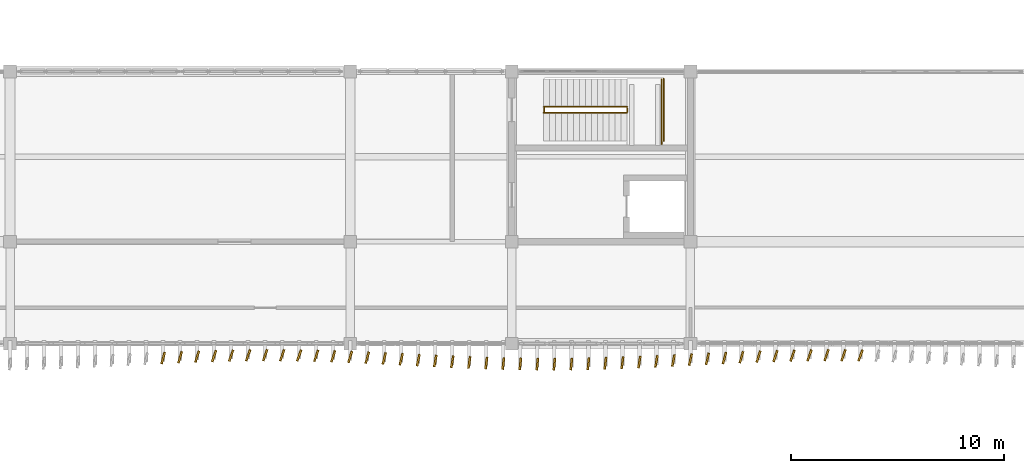
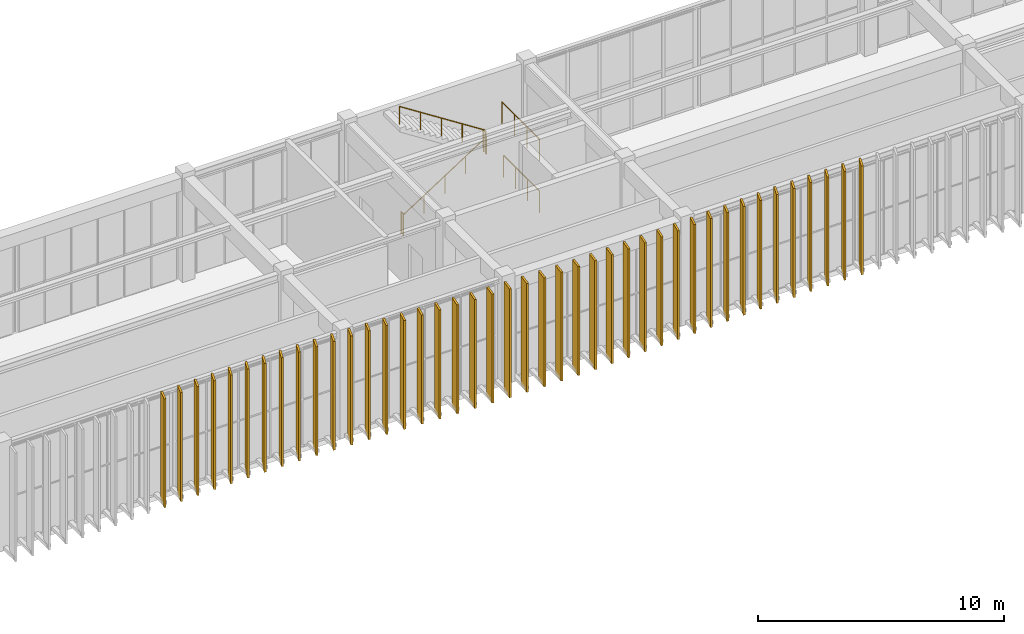
# One storey, part 58 of 64: 42 coverings, 6 railings.
"""IFC4 building model written with IfcOpenShell, lengths in metres."""

from ifc_helpers import new_model, si_unit, direction, frame, origin, origin_2d, place, context, subcontext, project, spatial, rectangle, circle, extrude, material, layer, layer_set, type_object, element, save


model = new_model("IFC4")

# Units and contexts
model_context = context("Model", 3, precision=1e-05, world=origin(), true_north=direction((0.0, 1.0)))
body_context = subcontext(model_context, "Body", "Model", "MODEL_VIEW")
ifc_project = project(units=[si_unit("LENGTHUNIT", "METRE"), si_unit("AREAUNIT", "SQUARE_METRE"), si_unit("VOLUMEUNIT", "CUBIC_METRE"), si_unit("PLANEANGLEUNIT", "RADIAN"), si_unit("MASSUNIT", "GRAM", prefix="KILO")], contexts=[model_context])

# Site, building, storey
site_placement = place(None, origin())
site = spatial("IfcSite", under=ifc_project, at=site_placement, CompositionType="ELEMENT")
building_placement = place(site_placement, origin())
building = spatial("IfcBuilding", under=site, at=building_placement, Name="Cinchona Park Media Centre", CompositionType="ELEMENT")
storey_placement = place(building_placement, frame((0.0, 0.0, 10.199951171875)))
storey = spatial("IfcBuildingStorey", under=building, at=storey_placement, Name="L02", CompositionType="ELEMENT", Elevation=10.199951171875)

# Coverings
ifc_material_1 = material(Name="Anodised Storm-Resistant Aluminium Fin", Category="aluminium")
ifc_layer = layer(ifc_material_1, 0.090087890625)
ifc_layer_set = layer_set([ifc_layer], Name="Anodised Storm-Resistant Aluminium Fin")
covering_type = type_object("IfcCoveringType", Name="CLADDING-FIN01", PredefinedType="CLADDING", material=ifc_layer_set)
for number, where, z_axis, x_axis, name in (
    (1, (70.0, 74.1279296875, 0.0), (0.0, 0.0, 1.0), (0.268919820615, 0.963162566798, 0.0), "Twisting Vertical Facade Fin L02"),
    (2, (70.800048828125, 74.1640625, 0.0), (0.0, 0.0, 1.0), (0.288697611798, 0.957420330337, 0.0), "Twisting Vertical Facade Fin L02"),
    (3, (71.60009765625, 74.195068359375, 0.0), (0.0, 0.0, 1.0), (0.306193796821, 0.951969200546, 0.0), "Twisting Vertical Facade Fin L02"),
    (4, (72.39990234375, 74.220947265625, 0.0), (0.0, 0.0, 1.0), (0.320612990586, 0.947210277746, 0.0), "Twisting Vertical Facade Fin L02"),
    (5, (73.199951171875, 74.240966796875, 0.0), (0.0, 0.0, 1.0), (0.331667216146, 0.943396447807, 0.0), "Twisting Vertical Facade Fin L02"),
    (6, (74.0, 74.25390625, 0.0), (0.0, 0.0, 1.0), (0.338737920245, 0.940880768954, 0.0), "Twisting Vertical Facade Fin L02"),
    (7, (74.800048828125, 74.260009765625, 0.0), (0.0, 0.0, 1.0), (0.341856130815, 0.939752300249, 0.0), "Twisting Vertical Facade Fin L02"),
    (8, (75.60009765625, 74.258056640625, 0.0), (0.0, 0.0, 1.0), (0.340871837244, 0.94010977581, 0.0), "Twisting Vertical Facade Fin L02"),
    (9, (76.39990234375, 74.248046875, 0.0), (0.0, 0.0, 1.0), (0.335780389393, 0.941940300709, 0.0), "Twisting Vertical Facade Fin L02"),
    (10, (77.199951171875, 74.23193359375, 0.0), (0.0, 0.0, 1.0), (0.3265581205, 0.945177123049, 0.0), "Twisting Vertical Facade Fin L02"),
    (11, (78.0, 74.208984375, 0.0), (0.0, 0.0, 1.0), (0.31382674518, 0.949480265203, 0.0), "Twisting Vertical Facade Fin L02"),
    (12, (78.800048828125, 74.179931640625, 0.0), (0.0, 0.0, 1.0), (0.297874744877, 0.954604963513, 0.0), "Twisting Vertical Facade Fin L02"),
    (13, (79.60009765625, 74.14599609375, 0.0), (0.0, 0.0, 1.0), (0.279158704655, 0.960244977917, 0.0), "Twisting Vertical Facade Fin L02"),
    (14, (80.39990234375, 74.10888671875, 0.0), (0.0, 0.0, 1.0), (0.258313252067, 0.966061211211, 0.0), "Twisting Vertical Facade Fin L02"),
    (15, (81.199951171875, 74.070068359375, 0.0), (0.0, 0.0, 1.0), (0.236329411694, 0.971672994977, 0.0), "Twisting Vertical Facade Fin L02"),
    (16, (82.0, 74.030029296875, 0.0), (0.0, 0.0, 1.0), (0.213541936916, 0.97693389806, 0.0), "Twisting Vertical Facade Fin L02"),
    (17, (82.800048828125, 73.990966796875, 0.0), (0.0, 0.0, 1.0), (0.191322947989, 0.981527141537, 0.0), "Twisting Vertical Facade Fin L02"),
    (18, (83.60009765625, 73.9541015625, 0.0), (0.0, 0.0, 1.0), (0.170037510451, 0.985437590637, 0.0), "Twisting Vertical Facade Fin L02"),
    (19, (84.39990234375, 73.919921875, 0.0), (0.0, 0.0, 1.0), (0.150743225348, 0.988572951285, 0.0), "Twisting Vertical Facade Fin L02"),
    (20, (85.199951171875, 73.89111328125, 0.0), (0.0, 0.0, 1.0), (0.134159142573, 0.990959799621, 0.0), "Twisting Vertical Facade Fin L02"),
    (21, (86.0, 73.867919921875, 0.0), (0.0, 0.0, 1.0), (0.120829884873, 0.992673228672, 0.0), "Twisting Vertical Facade Fin L02"),
    (22, (86.800048828125, 73.85205078125, 0.0), (0.0, 0.0, 1.0), (0.111122034978, 0.993806768614, 0.0), "Twisting Vertical Facade Fin L02"),
    (23, (87.60009765625, 73.842041015625, 0.0), (0.0, 0.0, 1.0), (0.105743422663, 0.994393447567, 0.0), "Twisting Vertical Facade Fin L02"),
    (24, (88.39990234375, 73.840087890625, 0.0), (0.0, 0.0, 1.0), (0.10470203849, 0.994503636562, 0.0), "Twisting Vertical Facade Fin L02"),
    (25, (89.199951171875, 73.845947265625, 0.0), (0.0, 0.0, 1.0), (0.107999355706, 0.994150963972, 0.0), "Twisting Vertical Facade Fin L02"),
    (26, (90.0, 73.85888671875, 0.0), (0.0, 0.0, 1.0), (0.115457263478, 0.993312448482, 0.0), "Twisting Vertical Facade Fin L02"),
    (27, (90.800048828125, 73.87890625, 0.0), (0.0, 0.0, 1.0), (0.127064608601, 0.99189444259, 0.0), "Twisting Vertical Facade Fin L02"),
    (28, (91.60009765625, 73.905029296875, 0.0), (0.0, 0.0, 1.0), (0.142110668555, 0.989850775563, 0.0), "Twisting Vertical Facade Fin L02"),
    (29, (92.39990234375, 73.93603515625, 0.0), (0.0, 0.0, 1.0), (0.160225753504, 0.987080395872, 0.0), "Twisting Vertical Facade Fin L02"),
    (30, (93.199951171875, 73.971923828125, 0.0), (0.0, 0.0, 1.0), (0.180519145251, 0.983571470813, 0.0), "Twisting Vertical Facade Fin L02"),
    (31, (94.0, 74.010009765625, 0.0), (0.0, 0.0, 1.0), (0.202445469766, 0.979293537082, 0.0), "Twisting Vertical Facade Fin L02"),
    (32, (94.800048828125, 74.050048828125, 0.0), (0.0, 0.0, 1.0), (0.224951054344, 0.974370064785, 0.0), "Twisting Vertical Facade Fin L02"),
    (33, (95.60009765625, 74.090087890625, 0.0), (0.0, 0.0, 1.0), (0.247337247968, 0.968929453452, 0.0), "Twisting Vertical Facade Fin L02"),
    (34, (96.39990234375, 74.1279296875, 0.0), (0.0, 0.0, 1.0), (0.268919820615, 0.963162566798, 0.0), "Twisting Vertical Facade Fin L02"),
    (35, (97.199951171875, 74.1640625, 0.0), (0.0, 0.0, 1.0), (0.288697611798, 0.957420330337, 0.0), "Twisting Vertical Facade Fin L02"),
    (36, (98.0, 74.195068359375, 0.0), (0.0, 0.0, 1.0), (0.306193796821, 0.951969200546, 0.0), "Twisting Vertical Facade Fin L02"),
    (37, (98.800048828125, 74.220947265625, 0.0), (0.0, 0.0, 1.0), (0.320612990586, 0.947210277746, 0.0), "Twisting Vertical Facade Fin L02"),
    (38, (99.60009765625, 74.240966796875, 0.0), (0.0, 0.0, 1.0), (0.331667216146, 0.943396447807, 0.0), "Twisting Vertical Facade Fin L02"),
    (39, (100.39990234375, 74.25390625, 0.0), (0.0, 0.0, 1.0), (0.338737920245, 0.940880768954, 0.0), "Twisting Vertical Facade Fin L02"),
    (40, (101.199951171875, 74.260009765625, 0.0), (0.0, 0.0, 1.0), (0.341856130815, 0.939752300249, 0.0), "Twisting Vertical Facade Fin L02"),
    (41, (102.0, 74.258056640625, 0.0), (0.0, 0.0, 1.0), (0.340871837244, 0.94010977581, 0.0), "Twisting Vertical Facade Fin L02"),
    (42, (102.800048828125, 74.248046875, 0.0), (0.0, 0.0, 1.0), (0.335780389393, 0.941940300709, 0.0), "Twisting Vertical Facade Fin L02"),
):
    element("IfcCovering", number, at=place(storey_placement, frame(where, z_axis=z_axis, x_axis=x_axis)), inside=storey, type_object=covering_type, Name=name, PredefinedType="CLADDING", context=body_context, shape_type="SweptSolid", body=[
        extrude(rectangle(XDim=0.56005859375, YDim=0.090087890625, at=origin_2d()), origin(), (0.0, 0.0, 1.0), 5.39990234375),
    ])

# Railings
ifc_material_2 = material(Name="Painted Steel Stairwell Guardrail", Category="steel")
railing_type_1 = type_object("IfcRailingType", Name="RAILING-GR02", PredefinedType="GUARDRAIL", material=ifc_material_2)
railing_1_placement = place(storey_placement, frame((87.93505859375, 85.719970703125, 0.0)))
element("IfcRailing", 43, at=railing_1_placement, inside=storey, type_object=railing_type_1, Name="Stairwell Guardrail GR02 ST5 L02", PredefinedType="GUARDRAIL", context=body_context, shape_type="SweptSolid", body=[
    extrude(circle(Radius=0.02392578125, at=origin_2d()), frame((0.0, 0.0, 1.076171875), z_axis=(0.0, 1.0, 0.0), x_axis=(-1.0, 0.0, 0.0)), (0.0, 0.0, 1.0), 0.159912109375),
    extrude(circle(Radius=0.02099609375, at=origin_2d()), origin(), (0.0, 0.0, 1.0), 1.052001953125),
    extrude(circle(Radius=0.02099609375, at=origin_2d()), frame((0.0, 0.159912109375, 0.0)), (0.0, 0.0, 1.0), 1.052001953125),
])
railing_2_placement = place(storey_placement, frame((93.5400390625, 84.340087890625, 0.0)))
element("IfcRailing", 44, at=railing_2_placement, inside=storey, type_object=railing_type_1, Name="Stairwell East Guardrail GR02 ST5 L02", PredefinedType="GUARDRAIL", context=body_context, shape_type="SweptSolid", body=[
    extrude(circle(Radius=0.02392578125, at=origin_2d()), frame((0.0, 0.0, 1.076171875), z_axis=(0.0, 1.0, 0.0), x_axis=(-1.0, 0.0, 0.0)), (0.0, 0.0, 1.0), 2.919921875),
    extrude(circle(Radius=0.02099609375, at=origin_2d()), origin(), (0.0, 0.0, 1.0), 1.052001953125),
    extrude(circle(Radius=0.02099609375, at=origin_2d()), frame((0.0, 0.973388671875, 0.0)), (0.0, 0.0, 1.0), 1.052001953125),
    extrude(circle(Radius=0.02099609375, at=origin_2d()), frame((0.0, 1.946533203125, 0.0)), (0.0, 0.0, 1.0), 1.052001953125),
    extrude(circle(Radius=0.02099609375, at=origin_2d()), frame((0.0, 2.919921875, 0.0)), (0.0, 0.0, 1.0), 1.052001953125),
])
railing_3_placement = place(storey_placement, frame((91.820068359375, 85.719970703125, 2.699951171875)))
element("IfcRailing", 45, at=railing_3_placement, inside=storey, type_object=railing_type_1, Name="Half-Landing Guardrail GR02 ST5 L02", PredefinedType="GUARDRAIL", context=body_context, shape_type="SweptSolid", body=[
    extrude(circle(Radius=0.02392578125, at=origin_2d()), frame((0.0, 0.0, 1.076171875), z_axis=(0.0, 1.0, 0.0), x_axis=(-1.0, 0.0, 0.0)), (0.0, 0.0, 1.0), 0.159912109375),
    extrude(circle(Radius=0.02099609375, at=origin_2d()), origin(), (0.0, 0.0, 1.0), 1.052001953125),
    extrude(circle(Radius=0.02099609375, at=origin_2d()), frame((0.0, 0.159912109375, 0.0)), (0.0, 0.0, 1.0), 1.052001953125),
])
railing_4_placement = place(storey_placement, frame((93.449951171875, 84.18994140625, 2.699951171875)))
element("IfcRailing", 46, at=railing_4_placement, inside=storey, type_object=railing_type_1, Name="Half-Landing Back Guardrail GR02 ST5 L02", PredefinedType="GUARDRAIL", context=body_context, shape_type="SweptSolid", body=[
    extrude(circle(Radius=0.02392578125, at=origin_2d()), frame((0.0, 0.0, 1.076171875), z_axis=(0.0, 1.0, 0.0), x_axis=(-1.0, 0.0, 0.0)), (0.0, 0.0, 1.0), 3.050048828125),
    extrude(circle(Radius=0.02099609375, at=origin_2d()), origin(), (0.0, 0.0, 1.0), 1.052001953125),
    extrude(circle(Radius=0.02099609375, at=origin_2d()), frame((0.0, 1.0166015625, 0.0)), (0.0, 0.0, 1.0), 1.052001953125),
    extrude(circle(Radius=0.02099609375, at=origin_2d()), frame((0.0, 2.033447265625, 0.0)), (0.0, 0.0, 1.0), 1.052001953125),
    extrude(circle(Radius=0.02099609375, at=origin_2d()), frame((0.0, 3.050048828125, 0.0)), (0.0, 0.0, 1.0), 1.052001953125),
])
ifc_material_3 = material(Name="Brushed Stainless Steel Handrail", Category="steel")
railing_type_2 = type_object("IfcRailingType", Name="RAILING-HR01", PredefinedType="HANDRAIL", material=ifc_material_3)
railing_5_placement = place(storey_placement, frame((87.89990234375, 85.659912109375, 0.179931640625)))
element("IfcRailing", 47, at=railing_5_placement, inside=storey, type_object=railing_type_2, Name="Stair Handrail HR01 ST5 L02 F1", PredefinedType="HANDRAIL", context=body_context, shape_type="SweptSolid", body=[
    extrude(circle(Radius=0.02392578125, at=origin_2d()), frame((0.0, 0.0, 0.8759765625), z_axis=(0.841186985886, 0.0, 0.540744352514), x_axis=(0.0, 1.0, 0.0)), (0.0, 0.0, 1.0), 4.660400390625),
    extrude(circle(Radius=0.02099609375, at=origin_2d()), origin(), (0.0, 0.0, 1.0), 0.851806640625),
    extrude(circle(Radius=0.02099609375, at=origin_2d()), frame((0.97998046875, 0.0, 0.6298828125)), (0.0, 0.0, 1.0), 0.851806640625),
    extrude(circle(Radius=0.02099609375, at=origin_2d()), frame((1.9599609375, 0.0, 1.260009765625)), (0.0, 0.0, 1.0), 0.851806640625),
    extrude(circle(Radius=0.02099609375, at=origin_2d()), frame((2.940185546875, 0.0, 1.89013671875)), (0.0, 0.0, 1.0), 0.851806640625),
    extrude(circle(Radius=0.02099609375, at=origin_2d()), frame((3.920166015625, 0.0, 2.52001953125)), (0.0, 0.0, 1.0), 0.851806640625),
])
railing_6_placement = place(storey_placement, frame((91.820068359375, 85.93994140625, 2.880126953125)))
element("IfcRailing", 48, at=railing_6_placement, inside=storey, type_object=railing_type_2, Name="Stair Handrail HR01 ST5 L02 F2", PredefinedType="HANDRAIL", context=body_context, shape_type="SweptSolid", body=[
    extrude(circle(Radius=0.02392578125, at=origin_2d()), frame((0.0, 0.0, 0.8759765625), z_axis=(-0.841186985886, 0.0, 0.540744352514), x_axis=(0.0, -1.0, 0.0)), (0.0, 0.0, 1.0), 4.660400390625),
    extrude(circle(Radius=0.02099609375, at=origin_2d()), origin(), (0.0, 0.0, 1.0), 0.851806640625),
    extrude(circle(Radius=0.02099609375, at=origin_2d()), frame((-0.97998046875, 0.0, 0.6298828125)), (0.0, 0.0, 1.0), 0.851806640625),
    extrude(circle(Radius=0.02099609375, at=origin_2d()), frame((-1.9599609375, 0.0, 1.260009765625)), (0.0, 0.0, 1.0), 0.851806640625),
    extrude(circle(Radius=0.02099609375, at=origin_2d()), frame((-2.940185546875, 0.0, 1.89013671875)), (0.0, 0.0, 1.0), 0.851806640625),
    extrude(circle(Radius=0.02099609375, at=origin_2d()), frame((-3.920166015625, 0.0, 2.52001953125)), (0.0, 0.0, 1.0), 0.851806640625),
])

save(model, "model.ifc")
